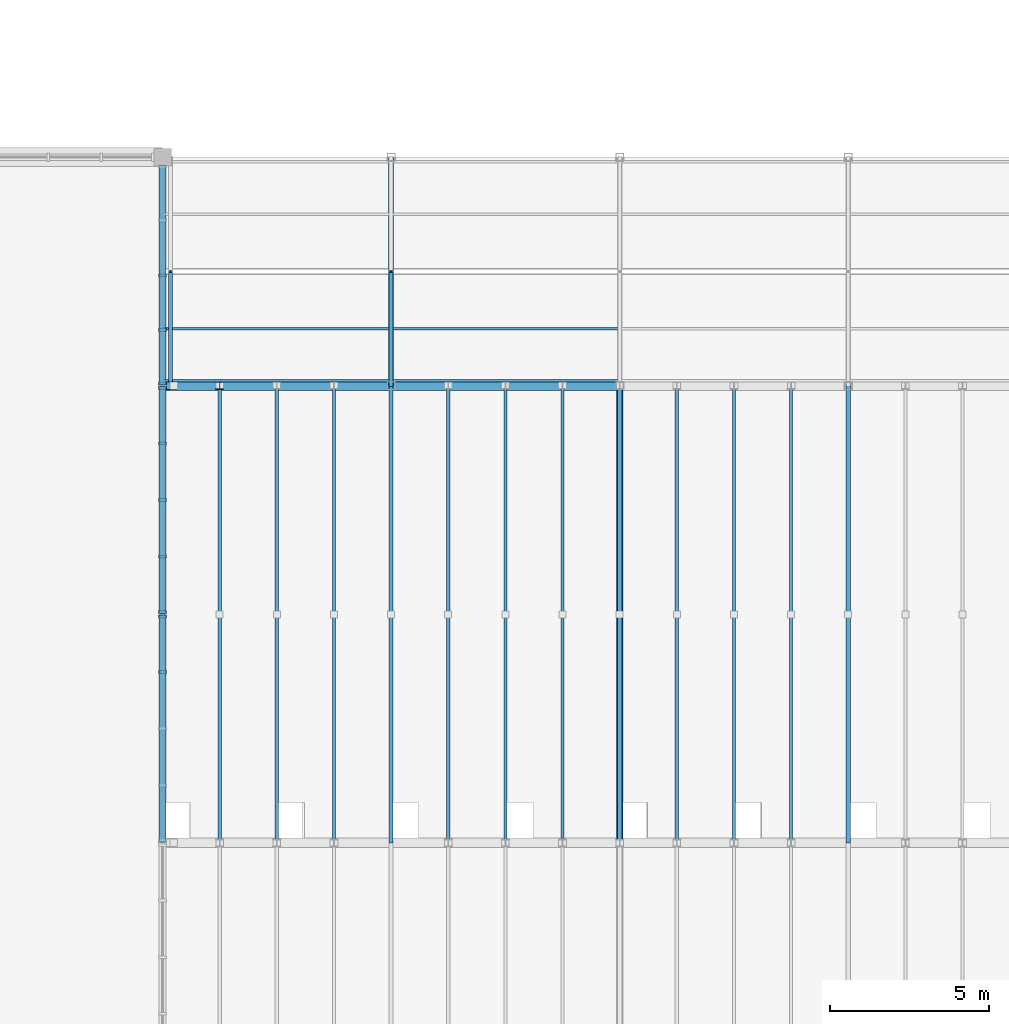
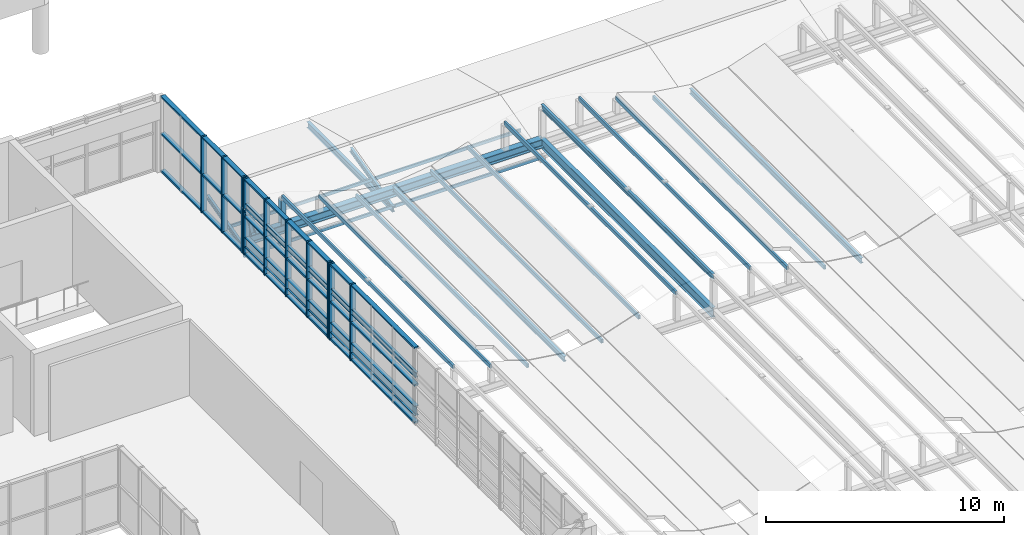
# One storey, part 18 of 83: 40 members, 4 beams, 3 elements without a shape of their own.
"""IFC4 building model written with IfcOpenShell, lengths in metres."""

import ifcopenshell
import ifcopenshell.guid

model = None  # the IFC model being written
_history = None  # IfcOwnerHistory: only IFC2X3 demands one
_inside = {}  # id of a spatial element -> (the spatial element, [elements in it])
_under = {}  # id of a project, library or spatial element -> (it, [spatial elements below it])
_declared = {}  # id of a project -> (the project, [libraries it declares])
_typed = {}  # id of a type object -> (the type object, [elements of that type])
_made_of = {}  # id of a material, layer set ... -> (it, [elements and type objects made of it])


def new_model(schema):
    """Start an empty IFC model of exactly this schema.

    Asked for "IFC4X3", IfcOpenShell would pick the latest addendum, in which some entities
    have other attributes; the version numbers below select the first issue.
    IFC2X3 requires an IfcOwnerHistory on every rooted entity: one is made here for all.
    """
    global model, _history
    if schema == "IFC4X3":
        model = ifcopenshell.file(schema_version=(4, 3, 0, 0))
    else:
        model = ifcopenshell.file(schema=schema)
    _inside.clear()
    _under.clear()
    _declared.clear()
    _typed.clear()
    _made_of.clear()
    _history = None
    if model.schema == "IFC2X3":
        org = make("IfcOrganization", Name="unknown")
        user = make(
            "IfcPersonAndOrganization",
            ThePerson=make("IfcPerson", FamilyName="unknown"),
            TheOrganization=org,
        )
        app = make(
            "IfcApplication",
            ApplicationDeveloper=org,
            Version="unknown",
            ApplicationFullName="unknown",
            ApplicationIdentifier="unknown",
        )
        _history = make(
            "IfcOwnerHistory",
            OwningUser=user,
            OwningApplication=app,
            ChangeAction="ADDED",
            CreationDate=0,
        )
    return model


def make(cls, **values):
    """One entity of the class cls with the attributes given. An attribute that is None is left unset."""
    return model.create_entity(
        cls, **{name: value for name, value in values.items() if value is not None}
    )


def rooted(cls, **values):
    """An entity with a GlobalId (a new one), such as an element, a storey or a relation."""
    return make(cls, GlobalId=ifcopenshell.guid.new(), OwnerHistory=_history, **values)


def si_unit(unit_type, name, prefix=None):
    """IfcSIUnit, for example si_unit("LENGTHUNIT", "METRE", prefix="MILLI")."""
    return make("IfcSIUnit", UnitType=unit_type, Prefix=prefix, Name=name)


def assignment(units):
    """IfcUnitAssignment: the units of a project."""
    return None if units is None else make("IfcUnitAssignment", Units=units)


def point(xyz):
    """IfcCartesianPoint."""
    return None if xyz is None else make("IfcCartesianPoint", Coordinates=xyz)


def direction(xyz):
    """IfcDirection."""
    return None if xyz is None else make("IfcDirection", DirectionRatios=xyz)


def frame(location, z_axis=None, x_axis=None):
    """IfcAxis2Placement3D, a coordinate frame: its origin and axes. An axis left out is left unset."""
    return make(
        "IfcAxis2Placement3D",
        Location=point(location),
        Axis=direction(z_axis),
        RefDirection=direction(x_axis),
    )


def frame_2d(location, x_axis=None):
    """IfcAxis2Placement2D, a coordinate frame in the plane: its origin and x axis."""
    return make(
        "IfcAxis2Placement2D", Location=point(location), RefDirection=direction(x_axis)
    )


def origin():
    """The frame at (0, 0, 0) with its axes left unset."""
    return frame((0.0, 0.0, 0.0))


def origin_2d():
    """The frame at (0, 0) in the plane with its x axis left unset."""
    return frame_2d((0.0, 0.0))


def place(relative_to, where):
    """IfcLocalPlacement: puts the frame where relative to a parent placement (None: the world)."""
    return make(
        "IfcLocalPlacement", PlacementRelTo=relative_to, RelativePlacement=where
    )


def context(
    kind, dimensions, precision=None, world=None, true_north=None, identifier=None
):
    """IfcGeometricRepresentationContext, for example the 3D "Model" context."""
    return make(
        "IfcGeometricRepresentationContext",
        ContextIdentifier=identifier,
        ContextType=kind,
        CoordinateSpaceDimension=dimensions,
        Precision=precision,
        WorldCoordinateSystem=world,
        TrueNorth=true_north,
    )


def subcontext(parent, identifier, kind, view, scale=None):
    """IfcGeometricRepresentationSubContext, for example "Body" below "Model"."""
    return make(
        "IfcGeometricRepresentationSubContext",
        ContextIdentifier=identifier,
        ContextType=kind,
        ParentContext=parent,
        TargetScale=scale,
        TargetView=view,
    )


def project(units=None, contexts=None):
    """IfcProject with its units and contexts."""
    return rooted(
        "IfcProject",
        Name="project",
        RepresentationContexts=contexts,
        UnitsInContext=assignment(units),
    )


def spatial(cls, under=None, at=None, **own):
    """A site, building, storey or space (cls), placed at a placement, below another one or the project."""
    s = rooted(cls, ObjectPlacement=at, **own)
    if under is not None:
        _under.setdefault(under.id(), (under, []))[1].append(s)
    return s


def profile(cls, at=None, kind="AREA", **sizes):
    """A parametric profile (cls). Its sizes go by their IFC names, for example OverallWidth=200.0."""
    return make(cls, ProfileType=kind, Position=at, **sizes)


def rectangle(**sizes):
    """IfcRectangleProfileDef."""
    return profile("IfcRectangleProfileDef", **sizes)


def hollow_rectangle(**sizes):
    """IfcRectangleHollowProfileDef."""
    return profile("IfcRectangleHollowProfileDef", **sizes)


def i_section(**sizes):
    """IfcIShapeProfileDef."""
    return profile("IfcIShapeProfileDef", **sizes)


def extrude(swept, where, along, depth):
    """IfcExtrudedAreaSolid: the profile swept, set in the frame where, extruded along a direction by depth."""
    return make(
        "IfcExtrudedAreaSolid",
        SweptArea=swept,
        Position=where,
        ExtrudedDirection=direction(along),
        Depth=depth,
    )


def shape(context_of_items, identifier, shape_type, items):
    """IfcShapeRepresentation: the items that make up one representation, for example the "Body"."""
    return make(
        "IfcShapeRepresentation",
        ContextOfItems=context_of_items,
        RepresentationIdentifier=identifier,
        RepresentationType=shape_type,
        Items=items,
    )


def material(Name=None, Category=None):
    """IfcMaterial."""
    return make("IfcMaterial", Name=Name, Category=Category)


def material_profile(
    of_material, cross_section, Name=None, Category=None, Priority=None
):
    """IfcMaterialProfile: a cross section and its material."""
    return make(
        "IfcMaterialProfile",
        Name=Name,
        Material=of_material,
        Profile=cross_section,
        Priority=Priority,
        Category=Category,
    )


def profile_set(profiles, Name=None, composite=None):
    """IfcMaterialProfileSet."""
    return make(
        "IfcMaterialProfileSet",
        Name=Name,
        MaterialProfiles=profiles,
        CompositeProfile=composite,
    )


def made_of(thing, what):
    """Note that an element or type object is made of a material, layer set ...; save() writes the relation."""
    if what is not None:
        _made_of.setdefault(what.id(), (what, []))[1].append(thing)
    return thing


def type_object(cls, material=None, **own):
    """A type object (cls), such as IfcWallType, which elements share."""
    return made_of(rooted(cls, **own), material)


def element(
    cls,
    number,
    at=None,
    inside=None,
    cuts=None,
    type_object=None,
    material=None,
    context=None,
    identifier="Body",
    shape_type=None,
    held_by="IfcProductDefinitionShape",
    body=None,
    shapes=None,
    **own,
):
    """One element of the class cls, such as IfcWall. Its Tag is "e" and its number.

    at: its placement. inside: the storey or other place that contains it. cuts: it is an
    opening in that element (IfcRelVoidsElement). A single representation is given by context,
    identifier, shape_type and body (its items); several are given by shapes. held_by: the class
    of the entity that holds the representations. save() writes the other relations.
    """
    e = rooted(cls, Tag="e%d" % number, ObjectPlacement=at, **own)
    if body is not None:
        shapes = [shape(context, identifier, shape_type, body)]
    if shapes is not None:
        e.Representation = make(held_by, Representations=shapes)
    if inside is not None:
        _inside.setdefault(inside.id(), (inside, []))[1].append(e)
    if cuts is not None:
        rooted(
            "IfcRelVoidsElement", RelatingBuildingElement=cuts, RelatedOpeningElement=e
        )
    if type_object is not None:
        _typed.setdefault(type_object.id(), (type_object, []))[1].append(e)
    return made_of(e, material)


def aggregate(whole, parts):
    """IfcRelAggregates: a whole, such as a stair, and the parts it consists of."""
    return rooted("IfcRelAggregates", RelatingObject=whole, RelatedObjects=parts)


def save(model, path):
    """Write the relations noted so far, then the file.

    IfcRelAggregates (storeys below a building ...), IfcRelContainedInSpatialStructure (elements
    in a storey), IfcRelDefinesByType, IfcRelAssociatesMaterial and IfcRelDeclares: one each for
    every whole, place, type object, material and project.
    """
    for whole, parts in _under.values():
        aggregate(whole, parts)
    for where, things in _inside.values():
        rooted(
            "IfcRelContainedInSpatialStructure",
            RelatedElements=things,
            RelatingStructure=where,
        )
    for kind, things in _typed.values():
        rooted("IfcRelDefinesByType", RelatedObjects=things, RelatingType=kind)
    for what, things in _made_of.values():
        rooted("IfcRelAssociatesMaterial", RelatedObjects=things, RelatingMaterial=what)
    for by, libraries in _declared.values():
        rooted("IfcRelDeclares", RelatingContext=by, RelatedDefinitions=libraries)
    model.write(path)


model = new_model("IFC4")

# Units and contexts
model_context = context("Model", 3, precision=1e-05, world=origin(), true_north=direction((0.0, 1.0)))
body_context = subcontext(model_context, "Body", "Model", "MODEL_VIEW")
ifc_project = project(units=[si_unit("LENGTHUNIT", "METRE"), si_unit("AREAUNIT", "SQUARE_METRE"), si_unit("VOLUMEUNIT", "CUBIC_METRE"), si_unit("PLANEANGLEUNIT", "RADIAN"), si_unit("MASSUNIT", "GRAM", prefix="KILO")], contexts=[model_context])

# Site, building, storey
site_placement = place(None, origin())
site = spatial("IfcSite", under=ifc_project, at=site_placement, CompositionType="ELEMENT")
building_placement = place(site_placement, origin())
building = spatial("IfcBuilding", under=site, at=building_placement, Name="Leyfeld Transit Interchange", CompositionType="ELEMENT")
storey_placement = place(building_placement, frame((0.0, 0.0, 5.39990234375)))
storey = spatial("IfcBuildingStorey", under=building, at=storey_placement, Name="L01", CompositionType="ELEMENT", Elevation=5.39990234375)

# Beams
ifc_material_1 = material(Name="Steel S355J2", Category="steel")
ifc_material_profile_1 = material_profile(ifc_material_1, i_section(OverallWidth=0.300048828125, OverallDepth=0.449951171875, WebThickness=0.013916015625, FlangeThickness=0.02587890625, FilletRadius=0.027099609375, at=origin_2d()), Name="HEB 450")
ifc_profile_set_1 = profile_set([ifc_material_profile_1], Name="Steel S355J2")
beam_type_1 = type_object("IfcBeamType", Name="BM-STL-HEB450", PredefinedType="JOIST", material=ifc_profile_set_1)
beam_1_placement = place(storey_placement, frame((100.800048828125, 43.199951171875, 0.675048828125), z_axis=(1.0, 0.0, 0.0), x_axis=(0.0, 1.0, 0.0)))
element("IfcBeam", 1, at=beam_1_placement, inside=storey, type_object=beam_type_1, Name="Bus Canopy Longitudinal Girder R4 B1", PredefinedType="JOIST", context=body_context, shape_type="SweptSolid", body=[
    extrude(i_section(OverallWidth=0.300048828125, OverallDepth=0.449951171875, WebThickness=0.013916015625, FlangeThickness=0.02587890625, FilletRadius=0.027099609375, at=origin_2d()), origin(), (0.0, 0.0, 1.0), 14.39990234375),
])
ifc_material_profile_2 = material_profile(ifc_material_1, i_section(OverallWidth=0.14990234375, OverallDepth=0.300048828125, WebThickness=0.007080078125, FlangeThickness=0.0107421875, FilletRadius=0.014892578125, at=origin_2d()), Name="IPE 300")
ifc_profile_set_2 = profile_set([ifc_material_profile_2], Name="Steel S355J2")
beam_type_2 = type_object("IfcBeamType", Name="BM-STL-IPE300", PredefinedType="SPANDREL", material=ifc_profile_set_2)
beam_2_placement = place(storey_placement, frame((108.0, 43.199951171875, -0.27001953125), z_axis=(0.0, 1.0, 0.0), x_axis=(-1.0, 0.0, 0.0)))
element("IfcBeam", 2, at=beam_2_placement, inside=storey, type_object=beam_type_2, Name="Passage Gable Tie Beam 02", PredefinedType="SPANDREL", context=body_context, shape_type="SweptSolid", body=[
    extrude(i_section(OverallWidth=0.14990234375, OverallDepth=0.300048828125, WebThickness=0.007080078125, FlangeThickness=0.0107421875, FilletRadius=0.014892578125, at=origin_2d()), origin(), (0.0, 0.0, 1.0), 7.199951171875),
])
ifc_material_profile_3 = material_profile(ifc_material_1, i_section(OverallWidth=0.199951171875, OverallDepth=0.5, WebThickness=0.01025390625, FlangeThickness=0.01611328125, FilletRadius=0.02099609375, at=origin_2d()), Name="IPE 500")
ifc_profile_set_3 = profile_set([ifc_material_profile_3], Name="Steel S355J2")
beam_type_3 = type_object("IfcBeamType", Name="BM-STL-IPE500", PredefinedType="BEAM", material=ifc_profile_set_3)
for number, where, z_axis, x_axis, name in (
    (3, (100.800048828125, 28.800048828125, 0.650146484375), (0.0, 1.0, 0.0), (-1.0, 0.0, 0.0), "Bus Canopy Transverse Portal Girder B1 R3"),
    (4, (115.199951171875, 28.800048828125, 0.650146484375), (0.0, 1.0, 0.0), (-1.0, 0.0, 0.0), "Bus Canopy Transverse Portal Girder B2 R3"),
):
    element("IfcBeam", number, at=place(storey_placement, frame(where, z_axis=z_axis, x_axis=x_axis)), inside=storey, type_object=beam_type_3, Name=name, PredefinedType="BEAM", context=body_context, shape_type="SweptSolid", body=[
        extrude(i_section(OverallWidth=0.199951171875, OverallDepth=0.5, WebThickness=0.01025390625, FlangeThickness=0.01611328125, FilletRadius=0.02099609375, at=origin_2d()), origin(), (0.0, 0.0, 1.0), 14.39990234375),
    ])

# Curtain wall, members
ifc_material_2 = material(Name="Anodised aluminium EN AW-6060 T66", Category="aluminium")
curtain_wall_type = type_object("IfcCurtainWallType", Name="CW-SYS-ARC-7200", PredefinedType="NOTDEFINED", material=ifc_material_2)
curtain_wall_1_placement = place(storey_placement, origin())
curtain_wall_1 = element("IfcCurtainWall", 5, at=curtain_wall_1_placement, inside=storey, type_object=curtain_wall_type, Name="Curtain Wall CW-L01-081", PredefinedType="NOTDEFINED")
ifc_material_profile_4 = material_profile(ifc_material_2, rectangle(XDim=0.0849609375, YDim=0.260009765625, at=origin_2d()), Name="CW-M 85x260")
ifc_profile_set_4 = profile_set([ifc_material_profile_4], Name="Anodised aluminium EN AW-6060 T66")
member_type_1 = type_object("IfcMemberType", Name="CW-MUL-220x80", PredefinedType="MULLION", material=ifc_profile_set_4)
member_1_placement = place(storey_placement, frame((100.800048828125, 46.6826171875, 0.0), z_axis=(0.0, 0.0, 1.0), x_axis=(0.0, -1.0, 0.0)))
member_1 = element("IfcMember", 6, at=member_1_placement, type_object=member_type_1, Name="Curtain Mullion CW-L01-081-M03", PredefinedType="MULLION", context=body_context, shape_type="SweptSolid", body=[
    extrude(rectangle(XDim=0.0849609375, YDim=0.260009765625, at=origin_2d()), origin(), (0.0, 0.0, 1.0), 3.900146484375),
])
member_2_placement = place(storey_placement, frame((100.800048828125, 44.956298828125, 0.0), z_axis=(0.0, 0.0, 1.0), x_axis=(0.0, -1.0, 0.0)))
member_2 = element("IfcMember", 7, at=member_2_placement, type_object=member_type_1, Name="Curtain Mullion CW-L01-081-M04", PredefinedType="MULLION", context=body_context, shape_type="SweptSolid", body=[
    extrude(rectangle(XDim=0.0849609375, YDim=0.260009765625, at=origin_2d()), origin(), (0.0, 0.0, 1.0), 3.900146484375),
])
member_3_placement = place(storey_placement, frame((100.800048828125, 43.2724609375, 0.0), z_axis=(0.0, 0.0, 1.0), x_axis=(0.0, -1.0, 0.0)))
member_3 = element("IfcMember", 8, at=member_3_placement, type_object=member_type_1, Name="Curtain Mullion CW-L01-081-M05", PredefinedType="MULLION", context=body_context, shape_type="SweptSolid", body=[
    extrude(rectangle(XDim=0.0849609375, YDim=0.260009765625, at=origin_2d()), origin(), (0.0, 0.0, 1.0), 3.900146484375),
])

curtain_wall_2_placement = place(storey_placement, origin())
curtain_wall_2 = element("IfcCurtainWall", 9, at=curtain_wall_2_placement, inside=storey, type_object=curtain_wall_type, Name="Curtain Wall CW-L01-082", PredefinedType="NOTDEFINED")
member_4_placement = place(storey_placement, frame((100.800048828125, 43.12744140625, 0.0), z_axis=(0.0, 0.0, 1.0), x_axis=(0.0, -1.0, 0.0)))
member_4 = element("IfcMember", 10, at=member_4_placement, type_object=member_type_1, Name="Curtain Mullion CW-L01-082-M01", PredefinedType="MULLION", context=body_context, shape_type="SweptSolid", body=[
    extrude(rectangle(XDim=0.0849609375, YDim=0.260009765625, at=origin_2d()), origin(), (0.0, 0.0, 1.0), 3.900146484375),
])
member_5_placement = place(storey_placement, frame((100.800048828125, 41.385009765625, 0.0), z_axis=(0.0, 0.0, 1.0), x_axis=(0.0, -1.0, 0.0)))
member_5 = element("IfcMember", 11, at=member_5_placement, type_object=member_type_1, Name="Curtain Mullion CW-L01-082-M02", PredefinedType="MULLION", context=body_context, shape_type="SweptSolid", body=[
    extrude(rectangle(XDim=0.0849609375, YDim=0.260009765625, at=origin_2d()), origin(), (0.0, 0.0, 1.0), 3.900146484375),
])
member_6_placement = place(storey_placement, frame((100.800048828125, 39.60009765625, 0.0), z_axis=(0.0, 0.0, 1.0), x_axis=(0.0, -1.0, 0.0)))
member_6 = element("IfcMember", 12, at=member_6_placement, type_object=member_type_1, Name="Curtain Mullion CW-L01-082-M03", PredefinedType="MULLION", context=body_context, shape_type="SweptSolid", body=[
    extrude(rectangle(XDim=0.0849609375, YDim=0.260009765625, at=origin_2d()), origin(), (0.0, 0.0, 1.0), 3.900146484375),
])
member_7_placement = place(storey_placement, frame((100.800048828125, 37.81494140625, 0.0), z_axis=(0.0, 0.0, 1.0), x_axis=(0.0, -1.0, 0.0)))
member_7 = element("IfcMember", 13, at=member_7_placement, type_object=member_type_1, Name="Curtain Mullion CW-L01-082-M04", PredefinedType="MULLION", context=body_context, shape_type="SweptSolid", body=[
    extrude(rectangle(XDim=0.0849609375, YDim=0.260009765625, at=origin_2d()), origin(), (0.0, 0.0, 1.0), 3.900146484375),
])
member_8_placement = place(storey_placement, frame((100.800048828125, 36.072509765625, 0.0), z_axis=(0.0, 0.0, 1.0), x_axis=(0.0, -1.0, 0.0)))
member_8 = element("IfcMember", 14, at=member_8_placement, type_object=member_type_1, Name="Curtain Mullion CW-L01-082-M05", PredefinedType="MULLION", context=body_context, shape_type="SweptSolid", body=[
    extrude(rectangle(XDim=0.0849609375, YDim=0.260009765625, at=origin_2d()), origin(), (0.0, 0.0, 1.0), 3.900146484375),
])

curtain_wall_3_placement = place(storey_placement, origin())
curtain_wall_3 = element("IfcCurtainWall", 15, at=curtain_wall_3_placement, inside=storey, type_object=curtain_wall_type, Name="Curtain Wall CW-L01-083", PredefinedType="NOTDEFINED")
member_9_placement = place(storey_placement, frame((100.800048828125, 35.927490234375, 0.0), z_axis=(0.0, 0.0, 1.0), x_axis=(0.0, -1.0, 0.0)))
member_9 = element("IfcMember", 16, at=member_9_placement, type_object=member_type_1, Name="Curtain Mullion CW-L01-083-M01", PredefinedType="MULLION", context=body_context, shape_type="SweptSolid", body=[
    extrude(rectangle(XDim=0.0849609375, YDim=0.260009765625, at=origin_2d()), origin(), (0.0, 0.0, 1.0), 3.900146484375),
])
member_10_placement = place(storey_placement, frame((100.800048828125, 34.18505859375, 0.0), z_axis=(0.0, 0.0, 1.0), x_axis=(0.0, -1.0, 0.0)))
member_10 = element("IfcMember", 17, at=member_10_placement, type_object=member_type_1, Name="Curtain Mullion CW-L01-083-M02", PredefinedType="MULLION", context=body_context, shape_type="SweptSolid", body=[
    extrude(rectangle(XDim=0.0849609375, YDim=0.260009765625, at=origin_2d()), origin(), (0.0, 0.0, 1.0), 3.900146484375),
])

# Member
ifc_material_profile_5 = material_profile(ifc_material_2, rectangle(XDim=0.2099609375, YDim=0.0849609375, at=origin_2d()), Name="CW-TRN-200x80")
ifc_profile_set_5 = profile_set([ifc_material_profile_5], Name="Anodised aluminium EN AW-6060 T66")
member_type_2 = type_object("IfcMemberType", Name="CW-TRN-200x80", PredefinedType="USERDEFINED", material=ifc_profile_set_5)
member_11_placement = place(storey_placement, frame((100.800048828125, 50.135009765625, 0.04248046875), z_axis=(0.0, -1.0, 0.0), x_axis=(1.0, 0.0, 0.0)))
member_11 = element("IfcMember", 18, at=member_11_placement, type_object=member_type_2, Name="Curtain Transom CW-L01-081-T01", ObjectType="TRANSOM", PredefinedType="USERDEFINED", context=body_context, shape_type="SweptSolid", body=[
    extrude(rectangle(XDim=0.2099609375, YDim=0.0849609375, at=origin_2d()), origin(), (0.0, 0.0, 1.0), 6.905029296875),
])

member_12_placement = place(storey_placement, frame((100.800048828125, 50.135009765625, 1.9501953125), z_axis=(0.0, -1.0, 0.0), x_axis=(1.0, 0.0, 0.0)))
member_12 = element("IfcMember", 19, at=member_12_placement, type_object=member_type_2, Name="Curtain Transom CW-L01-081-T02", ObjectType="TRANSOM", PredefinedType="USERDEFINED", context=body_context, shape_type="SweptSolid", body=[
    extrude(rectangle(XDim=0.2099609375, YDim=0.0849609375, at=origin_2d()), origin(), (0.0, 0.0, 1.0), 6.905029296875),
])

member_13_placement = place(storey_placement, frame((100.800048828125, 50.135009765625, 3.857666015625), z_axis=(0.0, -1.0, 0.0), x_axis=(1.0, 0.0, 0.0)))
member_13 = element("IfcMember", 20, at=member_13_placement, type_object=member_type_2, Name="Curtain Transom CW-L01-081-T03", ObjectType="TRANSOM", PredefinedType="USERDEFINED", context=body_context, shape_type="SweptSolid", body=[
    extrude(rectangle(XDim=0.2099609375, YDim=0.0849609375, at=origin_2d()), origin(), (0.0, 0.0, 1.0), 6.905029296875),
])

aggregate(curtain_wall_1, [member_1, member_2, member_3, member_11, member_12, member_13])

member_14_placement = place(storey_placement, frame((100.800048828125, 43.169921875, 0.04248046875), z_axis=(0.0, -1.0, 0.0), x_axis=(1.0, 0.0, 0.0)))
member_14 = element("IfcMember", 21, at=member_14_placement, type_object=member_type_2, Name="Curtain Transom CW-L01-082-T01", ObjectType="TRANSOM", PredefinedType="USERDEFINED", context=body_context, shape_type="SweptSolid", body=[
    extrude(rectangle(XDim=0.2099609375, YDim=0.0849609375, at=origin_2d()), origin(), (0.0, 0.0, 1.0), 7.139892578125),
])

member_15_placement = place(storey_placement, frame((100.800048828125, 43.169921875, 1.9501953125), z_axis=(0.0, -1.0, 0.0), x_axis=(1.0, 0.0, 0.0)))
member_15 = element("IfcMember", 22, at=member_15_placement, type_object=member_type_2, Name="Curtain Transom CW-L01-082-T02", ObjectType="TRANSOM", PredefinedType="USERDEFINED", context=body_context, shape_type="SweptSolid", body=[
    extrude(rectangle(XDim=0.2099609375, YDim=0.0849609375, at=origin_2d()), origin(), (0.0, 0.0, 1.0), 7.139892578125),
])

member_16_placement = place(storey_placement, frame((100.800048828125, 43.169921875, 3.857666015625), z_axis=(0.0, -1.0, 0.0), x_axis=(1.0, 0.0, 0.0)))
member_16 = element("IfcMember", 23, at=member_16_placement, type_object=member_type_2, Name="Curtain Transom CW-L01-082-T03", ObjectType="TRANSOM", PredefinedType="USERDEFINED", context=body_context, shape_type="SweptSolid", body=[
    extrude(rectangle(XDim=0.2099609375, YDim=0.0849609375, at=origin_2d()), origin(), (0.0, 0.0, 1.0), 7.139892578125),
])

aggregate(curtain_wall_2, [member_4, member_5, member_6, member_7, member_8, member_14, member_15, member_16])

member_17_placement = place(storey_placement, frame((100.800048828125, 35.969970703125, 0.04248046875), z_axis=(0.0, -1.0, 0.0), x_axis=(1.0, 0.0, 0.0)))
member_17 = element("IfcMember", 24, at=member_17_placement, type_object=member_type_2, Name="Curtain Transom CW-L01-083-T01", ObjectType="TRANSOM", PredefinedType="USERDEFINED", context=body_context, shape_type="SweptSolid", body=[
    extrude(rectangle(XDim=0.2099609375, YDim=0.0849609375, at=origin_2d()), origin(), (0.0, 0.0, 1.0), 7.139892578125),
])

member_18_placement = place(storey_placement, frame((100.800048828125, 35.969970703125, 1.9501953125), z_axis=(0.0, -1.0, 0.0), x_axis=(1.0, 0.0, 0.0)))
member_18 = element("IfcMember", 25, at=member_18_placement, type_object=member_type_2, Name="Curtain Transom CW-L01-083-T02", ObjectType="TRANSOM", PredefinedType="USERDEFINED", context=body_context, shape_type="SweptSolid", body=[
    extrude(rectangle(XDim=0.2099609375, YDim=0.0849609375, at=origin_2d()), origin(), (0.0, 0.0, 1.0), 7.139892578125),
])

member_19_placement = place(storey_placement, frame((100.800048828125, 35.969970703125, 3.857666015625), z_axis=(0.0, -1.0, 0.0), x_axis=(1.0, 0.0, 0.0)))
member_19 = element("IfcMember", 26, at=member_19_placement, type_object=member_type_2, Name="Curtain Transom CW-L01-083-T03", ObjectType="TRANSOM", PredefinedType="USERDEFINED", context=body_context, shape_type="SweptSolid", body=[
    extrude(rectangle(XDim=0.2099609375, YDim=0.0849609375, at=origin_2d()), origin(), (0.0, 0.0, 1.0), 7.139892578125),
])

aggregate(curtain_wall_3, [member_9, member_10, member_17, member_18, member_19])

# Members
ifc_material_profile_6 = material_profile(ifc_material_1, i_section(OverallWidth=0.239990234375, OverallDepth=0.22998046875, WebThickness=0.007568359375, FlangeThickness=0.011962890625, FilletRadius=0.02099609375, at=origin_2d()), Name="HEA 240")
ifc_profile_set_6 = profile_set([ifc_material_profile_6], Name="Steel S355J2")
member_type_3 = type_object("IfcMemberType", Name="MEM-CHD-HEA240", PredefinedType="CHORD", material=ifc_profile_set_6)
member_20_placement = place(storey_placement, frame((101.14990234375, 43.199951171875, 0.860107421875), z_axis=(-0.228870190503, 0.0, 0.973456951231), x_axis=(0.0, -1.0, 0.0)))
element("IfcMember", 27, at=member_20_placement, inside=storey, type_object=member_type_3, Name="Wave Canopy Riser Post 007", PredefinedType="CHORD", context=body_context, shape_type="SweptSolid", body=[
    extrude(i_section(OverallWidth=0.239990234375, OverallDepth=0.22998046875, WebThickness=0.007568359375, FlangeThickness=0.011962890625, FilletRadius=0.02099609375, at=origin_2d()), origin(), (0.0, 0.0, 1.0), 1.528564453125),
])
member_21_placement = place(storey_placement, frame((102.60009765625, 43.199951171875, 0.860107421875), z_axis=(0.0, 0.0, 1.0), x_axis=(1.0, 0.0, 0.0)))
element("IfcMember", 28, at=member_21_placement, inside=storey, type_object=member_type_3, Name="Wave Canopy Riser Post 014", PredefinedType="CHORD", context=body_context, shape_type="SweptSolid", body=[
    extrude(i_section(OverallWidth=0.239990234375, OverallDepth=0.22998046875, WebThickness=0.007568359375, FlangeThickness=0.011962890625, FilletRadius=0.02099609375, at=origin_2d()), origin(), (0.0, 0.0, 1.0), 1.2998046875),
])
ifc_material_profile_7 = material_profile(ifc_material_1, i_section(OverallWidth=0.1201171875, OverallDepth=0.239990234375, WebThickness=0.006103515625, FlangeThickness=0.009765625, FilletRadius=0.014892578125, at=origin_2d()), Name="IPE 240")
ifc_profile_set_7 = profile_set([ifc_material_profile_7], Name="Steel S355J2")
member_type_4 = type_object("IfcMemberType", Name="MEM-PUR-IPE240", PredefinedType="PURLIN", material=ifc_profile_set_7)
for number, where, z_axis, x_axis, name in (
    (29, (101.050048828125, 43.199951171875, -0.27001953125), (0.0, 0.970134759688, 0.242566584767), (-1.0, 0.0, 0.0), "Passage Gable Rafter S 01"),
    (30, (108.0, 43.199951171875, -0.27001953125), (0.0, 0.970134759688, 0.242566584767), (-1.0, 0.0, 0.0), "Passage Gable Rafter S 02"),
):
    element("IfcMember", number, at=place(storey_placement, frame(where, z_axis=z_axis, x_axis=x_axis)), inside=storey, type_object=member_type_4, Name=name, PredefinedType="PURLIN", context=body_context, shape_type="SweptSolid", body=[
        extrude(i_section(OverallWidth=0.1201171875, OverallDepth=0.239990234375, WebThickness=0.006103515625, FlangeThickness=0.009765625, FilletRadius=0.014892578125, at=origin_2d()), origin(), (0.0, 0.0, 1.0), 3.7109375),
    ])
ifc_material_profile_8 = material_profile(ifc_material_1, i_section(OverallWidth=0.135009765625, OverallDepth=0.27001953125, WebThickness=0.006591796875, FlangeThickness=0.01025390625, FilletRadius=0.014892578125, at=origin_2d()), Name="IPE 270")
ifc_profile_set_8 = profile_set([ifc_material_profile_8], Name="Steel S355J2")
member_type_5 = type_object("IfcMemberType", Name="MEM-PUR-IPE270", PredefinedType="PURLIN", material=ifc_profile_set_8)
for number, where, z_axis, x_axis, name in (
    (31, (100.800048828125, 28.800048828125, 2.483154296875), (0.0, 1.0, 0.0), (-1.0, 0.0, 0.0), "Bus Canopy Purlin 005"),
    (32, (108.0, 28.800048828125, 0.777587890625), (0.0, 1.0, 0.0), (-1.0, 0.0, 0.0), "Bus Canopy Purlin 031"),
    (33, (115.199951171875, 28.800048828125, 2.483154296875), (0.0, 1.0, 0.0), (-1.0, 0.0, 0.0), "Bus Canopy Purlin 057"),
    (34, (122.39990234375, 28.800048828125, 0.777587890625), (0.0, 1.0, 0.0), (-1.0, 0.0, 0.0), "Bus Canopy Purlin 083"),
):
    element("IfcMember", number, at=place(storey_placement, frame(where, z_axis=z_axis, x_axis=x_axis)), inside=storey, type_object=member_type_5, Name=name, PredefinedType="PURLIN", context=body_context, shape_type="SweptSolid", body=[
        extrude(i_section(OverallWidth=0.135009765625, OverallDepth=0.27001953125, WebThickness=0.006591796875, FlangeThickness=0.01025390625, FilletRadius=0.014892578125, at=origin_2d()), origin(), (0.0, 0.0, 1.0), 14.39990234375),
    ])
ifc_material_profile_9 = material_profile(ifc_material_1, hollow_rectangle(XDim=0.080078125, YDim=0.159912109375, WallThickness=0.008056640625, at=origin_2d()), Name="RHS 160x80x8")
ifc_profile_set_9 = profile_set([ifc_material_profile_9], Name="Steel S355J2")
member_type_6 = type_object("IfcMemberType", Name="MEM-PUR-RHS160", PredefinedType="PURLIN", material=ifc_profile_set_9)
for number, where, z_axis, x_axis, name in (
    (35, (100.800048828125, 43.35009765625, -0.239990234375), (1.0, 0.0, 0.0), (0.0, 1.0, 0.0), "Passage Roof Purlin ES 01"),
    (36, (100.800048828125, 45.0, 0.170166015625), (1.0, 0.0, 0.0), (0.0, 1.0, 0.0), "Passage Roof Purlin MS 01"),
    (37, (108.0, 43.35009765625, -0.239990234375), (1.0, 0.0, 0.0), (0.0, 1.0, 0.0), "Passage Roof Purlin ES 02"),
    (38, (108.0, 45.0, 0.170166015625), (1.0, 0.0, 0.0), (0.0, 1.0, 0.0), "Passage Roof Purlin MS 02"),
):
    element("IfcMember", number, at=place(storey_placement, frame(where, z_axis=z_axis, x_axis=x_axis)), inside=storey, type_object=member_type_6, Name=name, PredefinedType="PURLIN", context=body_context, shape_type="SweptSolid", body=[
        extrude(hollow_rectangle(XDim=0.080078125, YDim=0.159912109375, WallThickness=0.008056640625, at=origin_2d()), origin(), (0.0, 0.0, 1.0), 7.199951171875),
    ])
ifc_material_profile_10 = material_profile(ifc_material_1, hollow_rectangle(XDim=0.10009765625, YDim=0.199951171875, WallThickness=0.008056640625, at=origin_2d()), Name="RHS 200x100x8")
ifc_profile_set_10 = profile_set([ifc_material_profile_10], Name="Steel S355J2")
member_type_7 = type_object("IfcMemberType", Name="MEM-PUR-RHS200", PredefinedType="PURLIN", material=ifc_profile_set_10)
for number, where, z_axis, x_axis, name in (
    (39, (102.60009765625, 28.800048828125, 2.259765625), (0.0, 1.0, 0.0), (-1.0, 0.0, 0.0), "Bus Canopy Purlin 012"),
    (40, (104.39990234375, 28.800048828125, 1.656494140625), (0.0, 1.0, 0.0), (-1.0, 0.0, 0.0), "Bus Canopy Purlin 019"),
    (41, (106.199951171875, 28.800048828125, 1.0546875), (0.0, 1.0, 0.0), (-1.0, 0.0, 0.0), "Bus Canopy Purlin 026"),
    (42, (109.800048828125, 28.800048828125, 1.0546875), (0.0, 1.0, 0.0), (-1.0, 0.0, 0.0), "Bus Canopy Purlin 036"),
    (43, (111.60009765625, 28.800048828125, 1.656494140625), (0.0, 1.0, 0.0), (-1.0, 0.0, 0.0), "Bus Canopy Purlin 043"),
    (44, (113.39990234375, 28.800048828125, 2.259765625), (0.0, 1.0, 0.0), (-1.0, 0.0, 0.0), "Bus Canopy Purlin 050"),
    (45, (117.0, 28.800048828125, 2.259765625), (0.0, 1.0, 0.0), (-1.0, 0.0, 0.0), "Bus Canopy Purlin 064"),
    (46, (118.800048828125, 28.800048828125, 1.656494140625), (0.0, 1.0, 0.0), (-1.0, 0.0, 0.0), "Bus Canopy Purlin 071"),
    (47, (120.60009765625, 28.800048828125, 1.0546875), (0.0, 1.0, 0.0), (-1.0, 0.0, 0.0), "Bus Canopy Purlin 078"),
):
    element("IfcMember", number, at=place(storey_placement, frame(where, z_axis=z_axis, x_axis=x_axis)), inside=storey, type_object=member_type_7, Name=name, PredefinedType="PURLIN", context=body_context, shape_type="SweptSolid", body=[
        extrude(hollow_rectangle(XDim=0.10009765625, YDim=0.199951171875, WallThickness=0.008056640625, at=origin_2d()), origin(), (0.0, 0.0, 1.0), 14.39990234375),
    ])

save(model, "model.ifc")
